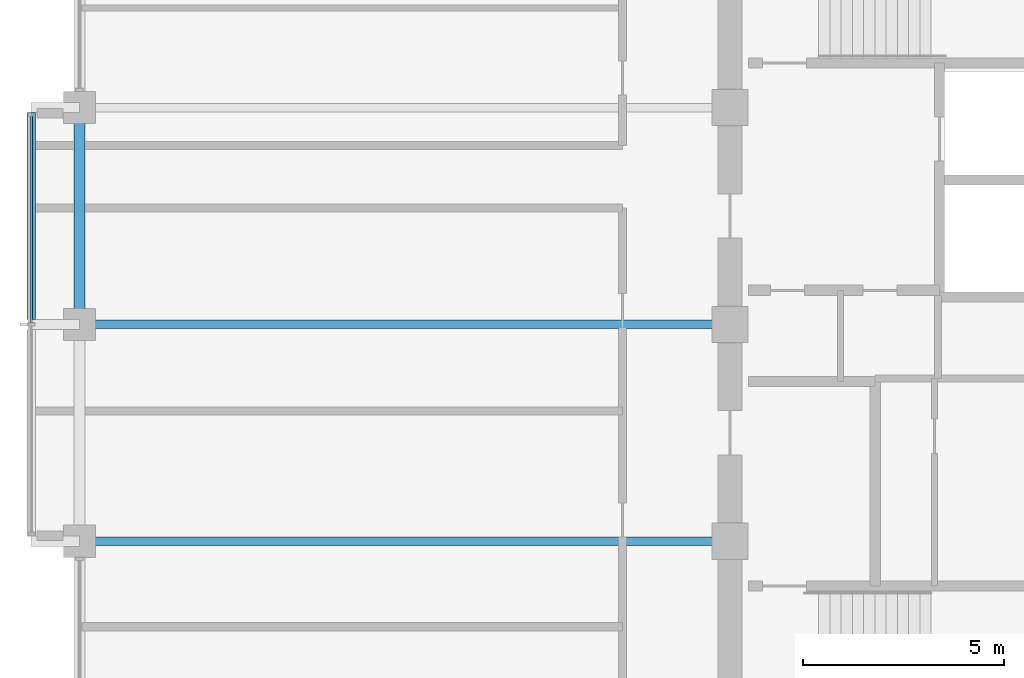
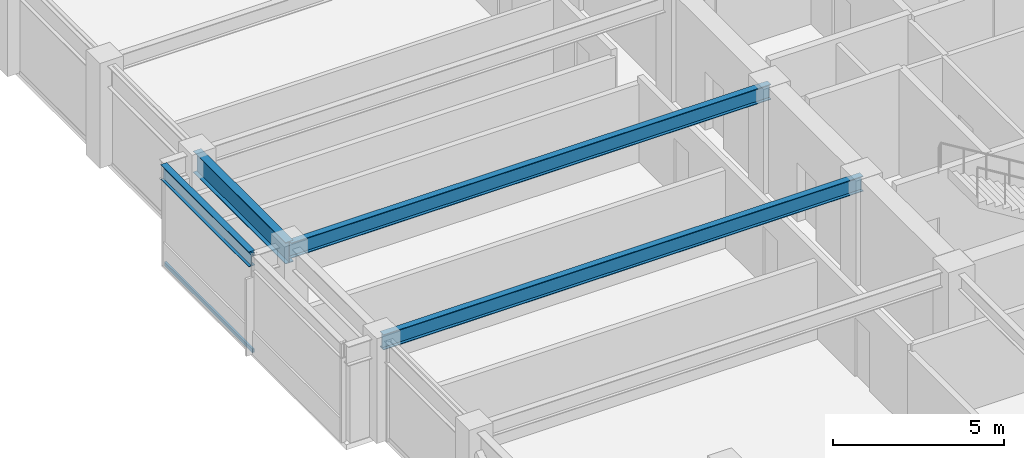
# One storey, part 9 of 32: 4 beams, 2 members, 1 element without a shape of its own.
"""IFC4 building model written with IfcOpenShell, lengths in metres."""

import ifcopenshell
import ifcopenshell.guid

model = None  # the IFC model being written
_history = None  # IfcOwnerHistory: only IFC2X3 demands one
_inside = {}  # id of a spatial element -> (the spatial element, [elements in it])
_under = {}  # id of a project, library or spatial element -> (it, [spatial elements below it])
_declared = {}  # id of a project -> (the project, [libraries it declares])
_typed = {}  # id of a type object -> (the type object, [elements of that type])
_made_of = {}  # id of a material, layer set ... -> (it, [elements and type objects made of it])


def new_model(schema):
    """Start an empty IFC model of exactly this schema.

    Asked for "IFC4X3", IfcOpenShell would pick the latest addendum, in which some entities
    have other attributes; the version numbers below select the first issue.
    IFC2X3 requires an IfcOwnerHistory on every rooted entity: one is made here for all.
    """
    global model, _history
    if schema == "IFC4X3":
        model = ifcopenshell.file(schema_version=(4, 3, 0, 0))
    else:
        model = ifcopenshell.file(schema=schema)
    _inside.clear()
    _under.clear()
    _declared.clear()
    _typed.clear()
    _made_of.clear()
    _history = None
    if model.schema == "IFC2X3":
        org = make("IfcOrganization", Name="unknown")
        user = make(
            "IfcPersonAndOrganization",
            ThePerson=make("IfcPerson", FamilyName="unknown"),
            TheOrganization=org,
        )
        app = make(
            "IfcApplication",
            ApplicationDeveloper=org,
            Version="unknown",
            ApplicationFullName="unknown",
            ApplicationIdentifier="unknown",
        )
        _history = make(
            "IfcOwnerHistory",
            OwningUser=user,
            OwningApplication=app,
            ChangeAction="ADDED",
            CreationDate=0,
        )
    return model


def make(cls, **values):
    """One entity of the class cls with the attributes given. An attribute that is None is left unset."""
    return model.create_entity(
        cls, **{name: value for name, value in values.items() if value is not None}
    )


def rooted(cls, **values):
    """An entity with a GlobalId (a new one), such as an element, a storey or a relation."""
    return make(cls, GlobalId=ifcopenshell.guid.new(), OwnerHistory=_history, **values)


def si_unit(unit_type, name, prefix=None):
    """IfcSIUnit, for example si_unit("LENGTHUNIT", "METRE", prefix="MILLI")."""
    return make("IfcSIUnit", UnitType=unit_type, Prefix=prefix, Name=name)


def assignment(units):
    """IfcUnitAssignment: the units of a project."""
    return None if units is None else make("IfcUnitAssignment", Units=units)


def point(xyz):
    """IfcCartesianPoint."""
    return None if xyz is None else make("IfcCartesianPoint", Coordinates=xyz)


def direction(xyz):
    """IfcDirection."""
    return None if xyz is None else make("IfcDirection", DirectionRatios=xyz)


def frame(location, z_axis=None, x_axis=None):
    """IfcAxis2Placement3D, a coordinate frame: its origin and axes. An axis left out is left unset."""
    return make(
        "IfcAxis2Placement3D",
        Location=point(location),
        Axis=direction(z_axis),
        RefDirection=direction(x_axis),
    )


def frame_2d(location, x_axis=None):
    """IfcAxis2Placement2D, a coordinate frame in the plane: its origin and x axis."""
    return make(
        "IfcAxis2Placement2D", Location=point(location), RefDirection=direction(x_axis)
    )


def origin():
    """The frame at (0, 0, 0) with its axes left unset."""
    return frame((0.0, 0.0, 0.0))


def origin_2d():
    """The frame at (0, 0) in the plane with its x axis left unset."""
    return frame_2d((0.0, 0.0))


def place(relative_to, where):
    """IfcLocalPlacement: puts the frame where relative to a parent placement (None: the world)."""
    return make(
        "IfcLocalPlacement", PlacementRelTo=relative_to, RelativePlacement=where
    )


def context(
    kind, dimensions, precision=None, world=None, true_north=None, identifier=None
):
    """IfcGeometricRepresentationContext, for example the 3D "Model" context."""
    return make(
        "IfcGeometricRepresentationContext",
        ContextIdentifier=identifier,
        ContextType=kind,
        CoordinateSpaceDimension=dimensions,
        Precision=precision,
        WorldCoordinateSystem=world,
        TrueNorth=true_north,
    )


def subcontext(parent, identifier, kind, view, scale=None):
    """IfcGeometricRepresentationSubContext, for example "Body" below "Model"."""
    return make(
        "IfcGeometricRepresentationSubContext",
        ContextIdentifier=identifier,
        ContextType=kind,
        ParentContext=parent,
        TargetScale=scale,
        TargetView=view,
    )


def project(units=None, contexts=None):
    """IfcProject with its units and contexts."""
    return rooted(
        "IfcProject",
        Name="project",
        RepresentationContexts=contexts,
        UnitsInContext=assignment(units),
    )


def spatial(cls, under=None, at=None, **own):
    """A site, building, storey or space (cls), placed at a placement, below another one or the project."""
    s = rooted(cls, ObjectPlacement=at, **own)
    if under is not None:
        _under.setdefault(under.id(), (under, []))[1].append(s)
    return s


def profile(cls, at=None, kind="AREA", **sizes):
    """A parametric profile (cls). Its sizes go by their IFC names, for example OverallWidth=200.0."""
    return make(cls, ProfileType=kind, Position=at, **sizes)


def hollow_rectangle(**sizes):
    """IfcRectangleHollowProfileDef."""
    return profile("IfcRectangleHollowProfileDef", **sizes)


def i_section(**sizes):
    """IfcIShapeProfileDef."""
    return profile("IfcIShapeProfileDef", **sizes)


def extrude(swept, where, along, depth):
    """IfcExtrudedAreaSolid: the profile swept, set in the frame where, extruded along a direction by depth."""
    return make(
        "IfcExtrudedAreaSolid",
        SweptArea=swept,
        Position=where,
        ExtrudedDirection=direction(along),
        Depth=depth,
    )


def shape(context_of_items, identifier, shape_type, items):
    """IfcShapeRepresentation: the items that make up one representation, for example the "Body"."""
    return make(
        "IfcShapeRepresentation",
        ContextOfItems=context_of_items,
        RepresentationIdentifier=identifier,
        RepresentationType=shape_type,
        Items=items,
    )


def material(Name=None, Category=None):
    """IfcMaterial."""
    return make("IfcMaterial", Name=Name, Category=Category)


def layer(
    of_material, thickness, ventilated=None, Name=None, Category=None, Priority=None
):
    """IfcMaterialLayer: one layer of a wall or slab, of a material (None: an air gap)."""
    return make(
        "IfcMaterialLayer",
        Material=of_material,
        LayerThickness=thickness,
        IsVentilated=ventilated,
        Name=Name,
        Category=Category,
        Priority=Priority,
    )


def layer_set(layers, Name=None):
    """IfcMaterialLayerSet."""
    return make("IfcMaterialLayerSet", MaterialLayers=layers, LayerSetName=Name)


def material_profile(
    of_material, cross_section, Name=None, Category=None, Priority=None
):
    """IfcMaterialProfile: a cross section and its material."""
    return make(
        "IfcMaterialProfile",
        Name=Name,
        Material=of_material,
        Profile=cross_section,
        Priority=Priority,
        Category=Category,
    )


def profile_set(profiles, Name=None, composite=None):
    """IfcMaterialProfileSet."""
    return make(
        "IfcMaterialProfileSet",
        Name=Name,
        MaterialProfiles=profiles,
        CompositeProfile=composite,
    )


def made_of(thing, what):
    """Note that an element or type object is made of a material, layer set ...; save() writes the relation."""
    if what is not None:
        _made_of.setdefault(what.id(), (what, []))[1].append(thing)
    return thing


def type_object(cls, material=None, **own):
    """A type object (cls), such as IfcWallType, which elements share."""
    return made_of(rooted(cls, **own), material)


def element(
    cls,
    number,
    at=None,
    inside=None,
    cuts=None,
    type_object=None,
    material=None,
    context=None,
    identifier="Body",
    shape_type=None,
    held_by="IfcProductDefinitionShape",
    body=None,
    shapes=None,
    **own,
):
    """One element of the class cls, such as IfcWall. Its Tag is "e" and its number.

    at: its placement. inside: the storey or other place that contains it. cuts: it is an
    opening in that element (IfcRelVoidsElement). A single representation is given by context,
    identifier, shape_type and body (its items); several are given by shapes. held_by: the class
    of the entity that holds the representations. save() writes the other relations.
    """
    e = rooted(cls, Tag="e%d" % number, ObjectPlacement=at, **own)
    if body is not None:
        shapes = [shape(context, identifier, shape_type, body)]
    if shapes is not None:
        e.Representation = make(held_by, Representations=shapes)
    if inside is not None:
        _inside.setdefault(inside.id(), (inside, []))[1].append(e)
    if cuts is not None:
        rooted(
            "IfcRelVoidsElement", RelatingBuildingElement=cuts, RelatedOpeningElement=e
        )
    if type_object is not None:
        _typed.setdefault(type_object.id(), (type_object, []))[1].append(e)
    return made_of(e, material)


def aggregate(whole, parts):
    """IfcRelAggregates: a whole, such as a stair, and the parts it consists of."""
    return rooted("IfcRelAggregates", RelatingObject=whole, RelatedObjects=parts)


def save(model, path):
    """Write the relations noted so far, then the file.

    IfcRelAggregates (storeys below a building ...), IfcRelContainedInSpatialStructure (elements
    in a storey), IfcRelDefinesByType, IfcRelAssociatesMaterial and IfcRelDeclares: one each for
    every whole, place, type object, material and project.
    """
    for whole, parts in _under.values():
        aggregate(whole, parts)
    for where, things in _inside.values():
        rooted(
            "IfcRelContainedInSpatialStructure",
            RelatedElements=things,
            RelatingStructure=where,
        )
    for kind, things in _typed.values():
        rooted("IfcRelDefinesByType", RelatedObjects=things, RelatingType=kind)
    for what, things in _made_of.values():
        rooted("IfcRelAssociatesMaterial", RelatedObjects=things, RelatingMaterial=what)
    for by, libraries in _declared.values():
        rooted("IfcRelDeclares", RelatingContext=by, RelatedDefinitions=libraries)
    model.write(path)


model = new_model("IFC4")

# Units and contexts
model_context = context("Model", 3, precision=1e-05, world=origin(), true_north=direction((0.0, 1.0)))
body_context = subcontext(model_context, "Body", "Model", "MODEL_VIEW")
ifc_project = project(units=[si_unit("LENGTHUNIT", "METRE"), si_unit("AREAUNIT", "SQUARE_METRE"), si_unit("VOLUMEUNIT", "CUBIC_METRE"), si_unit("PLANEANGLEUNIT", "RADIAN"), si_unit("MASSUNIT", "GRAM", prefix="KILO")], contexts=[model_context])

# Site, building, storey
site_placement = place(None, origin())
site = spatial("IfcSite", under=ifc_project, at=site_placement, CompositionType="ELEMENT")
building_placement = place(site_placement, origin())
building = spatial("IfcBuilding", under=site, at=building_placement, Name="Surkhivell Harbour Commons", CompositionType="ELEMENT")
storey_placement = place(building_placement, frame((0.0, 0.0, 234.75)))
storey = spatial("IfcBuildingStorey", under=building, at=storey_placement, Name="L61", CompositionType="ELEMENT", Elevation=234.75)

# Beams
ifc_material_1 = material(Name="Steel S355", Category="steel")
ifc_material_profile_1 = material_profile(ifc_material_1, i_section(OverallWidth=0.2119140625, OverallDepth=0.5439453125, WebThickness=0.0126953125, FlangeThickness=0.021240234375, at=origin_2d()), Name="UB533x210x122")
ifc_profile_set_1 = profile_set([ifc_material_profile_1], Name="Steel S355")
beam_type_1 = type_object("IfcBeamType", Name="BM-GRD-533A", PredefinedType="BEAM", material=ifc_profile_set_1)
for number, where, z_axis, x_axis, name in (
    (1, (-27.0, -5.39990234375, 3.298095703125), (1.0, 0.0, 0.0), (0.0, 1.0, 0.0), "L61 Floor Girder (-27.0,-5.4)"),
    (2, (-27.0, 0.0, 3.298095703125), (1.0, 0.0, 0.0), (0.0, 1.0, 0.0), "L61 Floor Girder (-27.0,0.0)"),
):
    element("IfcBeam", number, at=place(storey_placement, frame(where, z_axis=z_axis, x_axis=x_axis)), inside=storey, type_object=beam_type_1, Name=name, PredefinedType="BEAM", context=body_context, shape_type="SweptSolid", body=[
        extrude(i_section(OverallWidth=0.2119140625, OverallDepth=0.5439453125, WebThickness=0.0126953125, FlangeThickness=0.021240234375, at=origin_2d()), origin(), (0.0, 0.0, 1.0), 16.199951171875),
    ])
ifc_material_profile_2 = material_profile(ifc_material_1, i_section(OverallWidth=0.2099609375, OverallDepth=0.537109375, WebThickness=0.0107421875, FlangeThickness=0.017333984375, at=origin_2d()), Name="UB533x210x101")
ifc_profile_set_2 = profile_set([ifc_material_profile_2], Name="Steel S355")
beam_type_2 = type_object("IfcBeamType", Name="BM-GRD-533B", PredefinedType="BEAM", material=ifc_profile_set_2)
beam_1_placement = place(storey_placement, frame((-28.199951171875, 0.1220703125, 3.301513671875), z_axis=(0.0, 1.0, 0.0), x_axis=(-1.0, 0.0, 0.0)))
element("IfcBeam", 3, at=beam_1_placement, inside=storey, type_object=beam_type_2, Name="L61 Box Rim Spandrel (-28.2,0.0)", PredefinedType="BEAM", context=body_context, shape_type="SweptSolid", body=[
    extrude(i_section(OverallWidth=0.2099609375, OverallDepth=0.537109375, WebThickness=0.0107421875, FlangeThickness=0.017333984375, at=origin_2d()), origin(), (0.0, 0.0, 1.0), 5.156005859375),
])
ifc_material_profile_3 = material_profile(ifc_material_1, i_section(OverallWidth=0.26806640625, OverallDepth=0.77001953125, WebThickness=0.015625, FlangeThickness=0.025390625, at=origin_2d()), Name="UB762x267x197")
ifc_profile_set_3 = profile_set([ifc_material_profile_3], Name="Steel S355")
beam_type_3 = type_object("IfcBeamType", Name="BM-SPN-762", PredefinedType="SPANDREL", material=ifc_profile_set_3)
beam_2_placement = place(storey_placement, frame((-27.0, 0.0, 3.18505859375), z_axis=(0.0, 1.0, 0.0), x_axis=(-1.0, 0.0, 0.0)))
element("IfcBeam", 4, at=beam_2_placement, inside=storey, type_object=beam_type_3, Name="L61 Tube Spandrel (-27.0,0.0)", PredefinedType="SPANDREL", context=body_context, shape_type="SweptSolid", body=[
    extrude(i_section(OverallWidth=0.26806640625, OverallDepth=0.77001953125, WebThickness=0.015625, FlangeThickness=0.025390625, at=origin_2d()), origin(), (0.0, 0.0, 1.0), 5.39990234375),
])

# Curtain wall, members
ifc_material_2 = material(Name="Anodised pale-metal aluminium and insulated glazing", Category="aluminium")
ifc_layer = layer(ifc_material_2, 0.1650390625)
ifc_layer_set = layer_set([ifc_layer], Name="Anodised pale-metal aluminium and insulated glazing")
curtain_wall_type = type_object("IfcCurtainWallType", Name="CW-SYS-BOX", PredefinedType="NOTDEFINED", material=ifc_layer_set)
curtain_wall_placement = place(storey_placement, origin())
curtain_wall = element("IfcCurtainWall", 5, at=curtain_wall_placement, inside=storey, type_object=curtain_wall_type, Name="L61 Curtain Wall CW-L61-BOX02", PredefinedType="NOTDEFINED")
ifc_material_3 = material(Name="Champagne anodised aluminium alloy 6063-T6", Category="aluminium")
ifc_material_profile_4 = material_profile(ifc_material_3, hollow_rectangle(XDim=0.070068359375, YDim=0.1298828125, WallThickness=0.00341796875, at=origin_2d()), Name="ALU-TRAN-70x130")
ifc_profile_set_4 = profile_set([ifc_material_profile_4], Name="Champagne anodised aluminium alloy 6063-T6")
member_type = type_object("IfcMemberType", Name="CWT-130", PredefinedType="USERDEFINED", material=ifc_profile_set_4)
member_1_placement = place(storey_placement, frame((-28.199951171875, 0.034912109375, 0.06494140625), z_axis=(0.0, 1.0, 0.0), x_axis=(-1.0, 0.0, 0.0)))
member_1 = element("IfcMember", 6, at=member_1_placement, type_object=member_type, Name="CW-BOX transom 2.1", ObjectType="TRANSOM", PredefinedType="USERDEFINED", context=body_context, shape_type="SweptSolid", body=[
    extrude(hollow_rectangle(XDim=0.070068359375, YDim=0.1298828125, WallThickness=0.00341796875, at=origin_2d()), origin(), (0.0, 0.0, 1.0), 5.14501953125),
])
member_2_placement = place(storey_placement, frame((-28.199951171875, 0.034912109375, 3.5048828125), z_axis=(0.0, 1.0, 0.0), x_axis=(-1.0, 0.0, 0.0)))
member_2 = element("IfcMember", 7, at=member_2_placement, type_object=member_type, Name="CW-BOX transom 2.2", ObjectType="TRANSOM", PredefinedType="USERDEFINED", context=body_context, shape_type="SweptSolid", body=[
    extrude(hollow_rectangle(XDim=0.070068359375, YDim=0.1298828125, WallThickness=0.00341796875, at=origin_2d()), origin(), (0.0, 0.0, 1.0), 5.14501953125),
])
aggregate(curtain_wall, [member_1, member_2])

save(model, "model.ifc")
